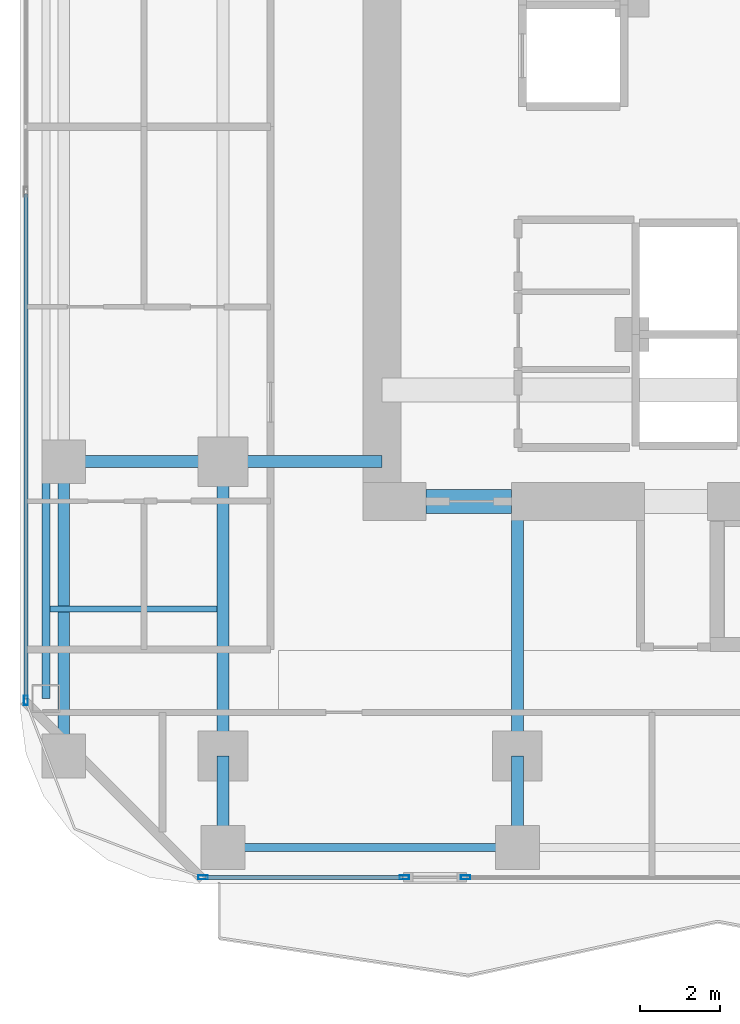
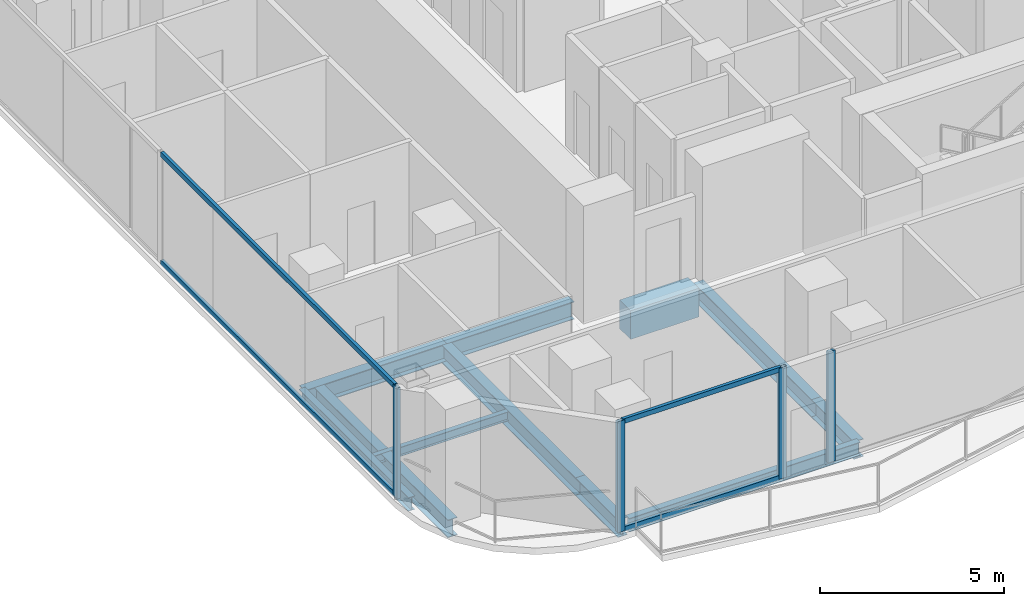
# One storey, part 2 of 26: 11 beams, 8 members, 3 elements without a shape of their own.
"""IFC4 building model written with IfcOpenShell, lengths in metres."""

from ifc_helpers import new_model, si_unit, direction, frame, origin, origin_2d, place, context, subcontext, project, spatial, rectangle, hollow_rectangle, i_section, extrude, material, layer, layer_set, material_profile, profile_set, type_object, element, aggregate, save


model = new_model("IFC4")

# Units and contexts
model_context = context("Model", 3, precision=1e-05, world=origin(), true_north=direction((0.0, 1.0)))
body_context = subcontext(model_context, "Body", "Model", "MODEL_VIEW")
ifc_project = project(units=[si_unit("LENGTHUNIT", "METRE"), si_unit("AREAUNIT", "SQUARE_METRE"), si_unit("VOLUMEUNIT", "CUBIC_METRE"), si_unit("PLANEANGLEUNIT", "RADIAN"), si_unit("MASSUNIT", "GRAM", prefix="KILO")], contexts=[model_context])

# Site, building, storey
site_placement = place(None, origin())
site = spatial("IfcSite", under=ifc_project, at=site_placement, CompositionType="ELEMENT")
building_placement = place(site_placement, origin())
building = spatial("IfcBuilding", under=site, at=building_placement, Name="Khorvyn Point Tower", CompositionType="ELEMENT")
storey_placement = place(building_placement, frame((0.0, 0.0, 113.39990234375)))
storey = spatial("IfcBuildingStorey", under=building, at=storey_placement, Name="L28", CompositionType="ELEMENT", Elevation=113.39990234375)

# Curtain wall, member
ifc_material_1 = material(Name="Anodised aluminium 6063-T6 and laminated Low-E glass", Category="aluminium")
ifc_layer = layer(ifc_material_1, 0.18994140625)
ifc_layer_set = layer_set([ifc_layer], Name="Stick-Built Acoustic Curtain Wall CW-SYS-03")
curtain_wall_type = type_object("IfcCurtainWallType", Name="Stick-Built Acoustic Curtain Wall CW-SYS-03", PredefinedType="NOTDEFINED", material=ifc_layer_set)
curtain_wall_1_placement = place(storey_placement, origin())
curtain_wall_1 = element("IfcCurtainWall", 1, at=curtain_wall_1_placement, inside=storey, type_object=curtain_wall_type, Name="Curtain Wall", PredefinedType="NOTDEFINED")
ifc_material_2 = material(Name="Anodised aluminium 6063-T6", Category="aluminium")
ifc_material_profile_1 = material_profile(ifc_material_2, hollow_rectangle(XDim=0.10009765625, YDim=0.239990234375, WallThickness=0.0048828125, at=origin_2d()))
ifc_profile_set_1 = profile_set([ifc_material_profile_1], Name="Anodised aluminium 6063-T6 ALU-MUL-100x240")
member_type_1 = type_object("IfcMemberType", Name="Anodised Aluminium 6063-T6 Mullion ALU-MUL-100x240", PredefinedType="MULLION", material=ifc_profile_set_1)
member_1_placement = place(storey_placement, frame((-8.700927734375, -17.85009765625, 0.0), z_axis=(0.0, 0.0, 1.0), x_axis=(0.0, -1.0, 0.0)))
member_1 = element("IfcMember", 2, at=member_1_placement, type_object=member_type_1, Name="Transom", PredefinedType="MULLION", context=body_context, shape_type="SweptSolid", body=[
    extrude(hollow_rectangle(XDim=0.10009765625, YDim=0.239990234375, WallThickness=0.0048828125, at=origin_2d()), origin(), (0.0, 0.0, 1.0), 3.68017578125),
])
aggregate(curtain_wall_1, [member_1])

# Curtain wall, members
curtain_wall_2_placement = place(storey_placement, origin())
curtain_wall_2 = element("IfcCurtainWall", 3, at=curtain_wall_2_placement, inside=storey, type_object=curtain_wall_type, Name="Curtain Wall", PredefinedType="NOTDEFINED")
member_2_placement = place(storey_placement, frame((-10.240966796875, -17.85009765625, 0.0), z_axis=(0.0, 0.0, 1.0), x_axis=(0.0, -1.0, 0.0)))
member_2 = element("IfcMember", 4, at=member_2_placement, type_object=member_type_1, Name="Transom", PredefinedType="MULLION", context=body_context, shape_type="SweptSolid", body=[
    extrude(hollow_rectangle(XDim=0.10009765625, YDim=0.239990234375, WallThickness=0.0048828125, at=origin_2d()), origin(), (0.0, 0.0, 1.0), 3.68017578125),
])
member_3_placement = place(storey_placement, frame((-15.300048828125, -17.85009765625, 0.0), z_axis=(0.0, 0.0, 1.0), x_axis=(0.0, -1.0, 0.0)))
member_3 = element("IfcMember", 5, at=member_3_placement, type_object=member_type_1, Name="Transom", PredefinedType="MULLION", context=body_context, shape_type="SweptSolid", body=[
    extrude(hollow_rectangle(XDim=0.10009765625, YDim=0.239990234375, WallThickness=0.0048828125, at=origin_2d()), origin(), (0.0, 0.0, 1.0), 3.68017578125),
])

# Curtain wall, member
curtain_wall_3_placement = place(storey_placement, origin())
curtain_wall_3 = element("IfcCurtainWall", 6, at=curtain_wall_3_placement, inside=storey, type_object=curtain_wall_type, Name="Curtain Wall", PredefinedType="NOTDEFINED")
member_4_placement = place(storey_placement, frame((-19.75, -13.39990234375, 0.0), z_axis=(0.0, 0.0, 1.0), x_axis=(-1.0, 0.0, 0.0)))
member_4 = element("IfcMember", 7, at=member_4_placement, type_object=member_type_1, Name="Transom", PredefinedType="MULLION", context=body_context, shape_type="SweptSolid", body=[
    extrude(hollow_rectangle(XDim=0.10009765625, YDim=0.239990234375, WallThickness=0.0048828125, at=origin_2d()), origin(), (0.0, 0.0, 1.0), 3.68017578125),
])

# Member
ifc_material_profile_2 = material_profile(ifc_material_2, hollow_rectangle(XDim=0.10009765625, YDim=0.159912109375, WallThickness=0.00439453125, at=origin_2d()))
ifc_profile_set_2 = profile_set([ifc_material_profile_2], Name="Anodised aluminium 6063-T6 ALU-TRN-100x160")
member_type_2 = type_object("IfcMemberType", Name="Anodised Aluminium 6063-T6 Transom ALU-TRN-100x160", PredefinedType="USERDEFINED", material=ifc_profile_set_2)
member_5_placement = place(storey_placement, frame((-10.291015625, -17.85009765625, 0.050048828125), z_axis=(-1.0, 0.0, 0.0), x_axis=(0.0, -1.0, 0.0)))
member_5 = element("IfcMember", 8, at=member_5_placement, type_object=member_type_2, Name="Transom", ObjectType="TRANSOM", PredefinedType="USERDEFINED", context=body_context, shape_type="SweptSolid", body=[
    extrude(hollow_rectangle(XDim=0.10009765625, YDim=0.159912109375, WallThickness=0.00439453125, at=origin_2d()), origin(), (0.0, 0.0, 1.0), 4.958984375),
])

member_6_placement = place(storey_placement, frame((-10.291015625, -17.85009765625, 3.630126953125), z_axis=(-1.0, 0.0, 0.0), x_axis=(0.0, -1.0, 0.0)))
member_6 = element("IfcMember", 9, at=member_6_placement, type_object=member_type_2, Name="Transom", ObjectType="TRANSOM", PredefinedType="USERDEFINED", context=body_context, shape_type="SweptSolid", body=[
    extrude(hollow_rectangle(XDim=0.10009765625, YDim=0.159912109375, WallThickness=0.00439453125, at=origin_2d()), origin(), (0.0, 0.0, 1.0), 4.958984375),
])

aggregate(curtain_wall_2, [member_2, member_3, member_5, member_6])

member_7_placement = place(storey_placement, frame((-19.75, -13.35009765625, 0.050048828125), z_axis=(0.0, 1.0, 0.0), x_axis=(-1.0, 0.0, 0.0)))
member_7 = element("IfcMember", 10, at=member_7_placement, type_object=member_type_2, Name="Transom", ObjectType="TRANSOM", PredefinedType="USERDEFINED", context=body_context, shape_type="SweptSolid", body=[
    extrude(hollow_rectangle(XDim=0.10009765625, YDim=0.159912109375, WallThickness=0.00439453125, at=origin_2d()), origin(), (0.0, 0.0, 1.0), 12.683349609375),
])

member_8_placement = place(storey_placement, frame((-19.75, -13.35009765625, 3.630126953125), z_axis=(0.0, 1.0, 0.0), x_axis=(-1.0, 0.0, 0.0)))
member_8 = element("IfcMember", 11, at=member_8_placement, type_object=member_type_2, Name="Transom", ObjectType="TRANSOM", PredefinedType="USERDEFINED", context=body_context, shape_type="SweptSolid", body=[
    extrude(hollow_rectangle(XDim=0.10009765625, YDim=0.159912109375, WallThickness=0.00439453125, at=origin_2d()), origin(), (0.0, 0.0, 1.0), 12.683349609375),
])

aggregate(curtain_wall_3, [member_4, member_7, member_8])

# Beams
ifc_material_3 = material(Name="Concrete C50/60", Category="concrete")
ifc_material_profile_3 = material_profile(ifc_material_3, rectangle(XDim=0.60009765625, YDim=0.949951171875, at=origin_2d()))
ifc_profile_set_3 = profile_set([ifc_material_profile_3], Name="Concrete C50/60 RC600x950")
beam_type_1 = type_object("IfcBeamType", Name="Concrete C50/60 Beam RC600x950", PredefinedType="BEAM", material=ifc_profile_set_3)
beam_1_placement = place(storey_placement, frame((-9.699951171875, -8.39990234375, -0.69482421875), z_axis=(1.0, 0.0, 0.0), x_axis=(0.0, 1.0, 0.0)))
element("IfcBeam", 12, at=beam_1_placement, inside=storey, type_object=beam_type_1, Name="L28 Core Southwest Portal Coupling Beam", PredefinedType="BEAM", context=body_context, shape_type="SweptSolid", body=[
    extrude(rectangle(XDim=0.60009765625, YDim=0.949951171875, at=origin_2d()), origin(), (0.0, 0.0, 1.0), 2.14990234375),
])
ifc_material_4 = material(Name="Steel S355", Category="steel")
ifc_material_profile_4 = material_profile(ifc_material_4, i_section(OverallWidth=0.300048828125, OverallDepth=0.587890625, WebThickness=0.011962890625, FlangeThickness=0.02001953125, at=origin_2d()))
ifc_profile_set_4 = profile_set([ifc_material_profile_4], Name="Steel S355 H588x300x12x20")
beam_type_2 = type_object("IfcBeamType", Name="Steel S355 Beam H588x300x12x20", PredefinedType="BEAM", material=ifc_profile_set_4)
beam_2_placement = place(storey_placement, frame((-19.25, -7.39990234375, -0.513916015625), z_axis=(1.0, 0.0, 0.0), x_axis=(0.0, 1.0, 0.0)))
element("IfcBeam", 13, at=beam_2_placement, inside=storey, type_object=beam_type_2, Name="Beam", PredefinedType="BEAM", context=body_context, shape_type="SweptSolid", body=[
    extrude(i_section(OverallWidth=0.300048828125, OverallDepth=0.587890625, WebThickness=0.011962890625, FlangeThickness=0.02001953125, at=origin_2d()), origin(), (0.0, 0.0, 1.0), 4.449951171875),
])
beam_3_placement = place(storey_placement, frame((-14.800048828125, -7.39990234375, -0.513916015625), z_axis=(1.0, 0.0, 0.0), x_axis=(0.0, 1.0, 0.0)))
element("IfcBeam", 14, at=beam_3_placement, inside=storey, type_object=beam_type_2, Name="Beam", PredefinedType="BEAM", context=body_context, shape_type="SweptSolid", body=[
    extrude(i_section(OverallWidth=0.300048828125, OverallDepth=0.587890625, WebThickness=0.011962890625, FlangeThickness=0.02001953125, at=origin_2d()), origin(), (0.0, 0.0, 1.0), 4.0),
])
beam_4_placement = place(storey_placement, frame((-14.800048828125, -17.10009765625, -0.513916015625), z_axis=(0.0, 1.0, 0.0), x_axis=(-1.0, 0.0, 0.0)))
element("IfcBeam", 15, at=beam_4_placement, inside=storey, type_object=beam_type_2, Name="Beam", PredefinedType="BEAM", context=body_context, shape_type="SweptSolid", body=[
    extrude(i_section(OverallWidth=0.300048828125, OverallDepth=0.587890625, WebThickness=0.011962890625, FlangeThickness=0.02001953125, at=origin_2d()), origin(), (0.0, 0.0, 1.0), 2.300048828125),
])
beam_5_placement = place(storey_placement, frame((-14.800048828125, -14.800048828125, -0.513916015625), z_axis=(0.0, 1.0, 0.0), x_axis=(-1.0, 0.0, 0.0)))
element("IfcBeam", 16, at=beam_5_placement, inside=storey, type_object=beam_type_2, Name="Beam", PredefinedType="BEAM", context=body_context, shape_type="SweptSolid", body=[
    extrude(i_section(OverallWidth=0.300048828125, OverallDepth=0.587890625, WebThickness=0.011962890625, FlangeThickness=0.02001953125, at=origin_2d()), origin(), (0.0, 0.0, 1.0), 7.400146484375),
])
beam_6_placement = place(storey_placement, frame((-7.39990234375, -17.10009765625, -0.513916015625), z_axis=(0.0, 1.0, 0.0), x_axis=(-1.0, 0.0, 0.0)))
element("IfcBeam", 17, at=beam_6_placement, inside=storey, type_object=beam_type_2, Name="Beam", PredefinedType="BEAM", context=body_context, shape_type="SweptSolid", body=[
    extrude(i_section(OverallWidth=0.300048828125, OverallDepth=0.587890625, WebThickness=0.011962890625, FlangeThickness=0.02001953125, at=origin_2d()), origin(), (0.0, 0.0, 1.0), 2.300048828125),
])
beam_7_placement = place(storey_placement, frame((-7.39990234375, -14.800048828125, -0.513916015625), z_axis=(0.0, 1.0, 0.0), x_axis=(-1.0, 0.0, 0.0)))
element("IfcBeam", 18, at=beam_7_placement, inside=storey, type_object=beam_type_2, Name="Beam", PredefinedType="BEAM", context=body_context, shape_type="SweptSolid", body=[
    extrude(i_section(OverallWidth=0.300048828125, OverallDepth=0.587890625, WebThickness=0.011962890625, FlangeThickness=0.02001953125, at=origin_2d()), origin(), (0.0, 0.0, 1.0), 6.400146484375),
])
beam_8_placement = place(storey_placement, frame((-18.800048828125, -14.800048828125, -0.513916015625), z_axis=(0.0, 1.0, 0.0), x_axis=(-1.0, 0.0, 0.0)))
element("IfcBeam", 19, at=beam_8_placement, inside=storey, type_object=beam_type_2, Name="Beam", PredefinedType="BEAM", context=body_context, shape_type="SweptSolid", body=[
    extrude(i_section(OverallWidth=0.300048828125, OverallDepth=0.587890625, WebThickness=0.011962890625, FlangeThickness=0.02001953125, at=origin_2d()), origin(), (0.0, 0.0, 1.0), 7.400146484375),
])
ifc_material_profile_5 = material_profile(ifc_material_4, i_section(OverallWidth=0.14990234375, OverallDepth=0.300048828125, WebThickness=0.006591796875, FlangeThickness=0.009033203125, at=origin_2d()))
ifc_profile_set_5 = profile_set([ifc_material_profile_5], Name="Steel S355 H300x150x6.5x9")
beam_type_3 = type_object("IfcBeamType", Name="Steel S355 Joist H300x150x6.5x9", PredefinedType="JOIST", material=ifc_profile_set_5)
beam_9_placement = place(storey_placement, frame((-19.14990234375, -11.10009765625, -0.369873046875), z_axis=(1.0, 0.0, 0.0), x_axis=(0.0, 1.0, 0.0)))
element("IfcBeam", 20, at=beam_9_placement, inside=storey, type_object=beam_type_3, Name="Beam", PredefinedType="JOIST", context=body_context, shape_type="SweptSolid", body=[
    extrude(i_section(OverallWidth=0.14990234375, OverallDepth=0.300048828125, WebThickness=0.006591796875, FlangeThickness=0.009033203125, at=origin_2d()), origin(), (0.0, 0.0, 1.0), 4.199951171875),
])
ifc_material_profile_6 = material_profile(ifc_material_4, i_section(OverallWidth=0.199951171875, OverallDepth=0.449951171875, WebThickness=0.009033203125, FlangeThickness=0.013916015625, at=origin_2d()))
ifc_profile_set_6 = profile_set([ifc_material_profile_6], Name="Steel S355 H450x200x9x14")
beam_type_4 = type_object("IfcBeamType", Name="Steel S355 Spandrel H450x200x9x14", PredefinedType="SPANDREL", material=ifc_profile_set_6)
beam_10_placement = place(storey_placement, frame((-14.64990234375, -17.10009765625, -0.44482421875), z_axis=(1.0, 0.0, 0.0), x_axis=(0.0, 1.0, 0.0)))
element("IfcBeam", 21, at=beam_10_placement, inside=storey, type_object=beam_type_4, Name="Beam", PredefinedType="SPANDREL", context=body_context, shape_type="SweptSolid", body=[
    extrude(i_section(OverallWidth=0.199951171875, OverallDepth=0.449951171875, WebThickness=0.009033203125, FlangeThickness=0.013916015625, at=origin_2d()), origin(), (0.0, 0.0, 1.0), 7.25),
])
beam_11_placement = place(storey_placement, frame((-19.25, -13.35009765625, -0.44482421875), z_axis=(0.0, 1.0, 0.0), x_axis=(-1.0, 0.0, 0.0)))
element("IfcBeam", 22, at=beam_11_placement, inside=storey, type_object=beam_type_4, Name="Beam", PredefinedType="SPANDREL", context=body_context, shape_type="SweptSolid", body=[
    extrude(i_section(OverallWidth=0.199951171875, OverallDepth=0.449951171875, WebThickness=0.009033203125, FlangeThickness=0.013916015625, at=origin_2d()), origin(), (0.0, 0.0, 1.0), 5.9501953125),
])

save(model, "model.ifc")
